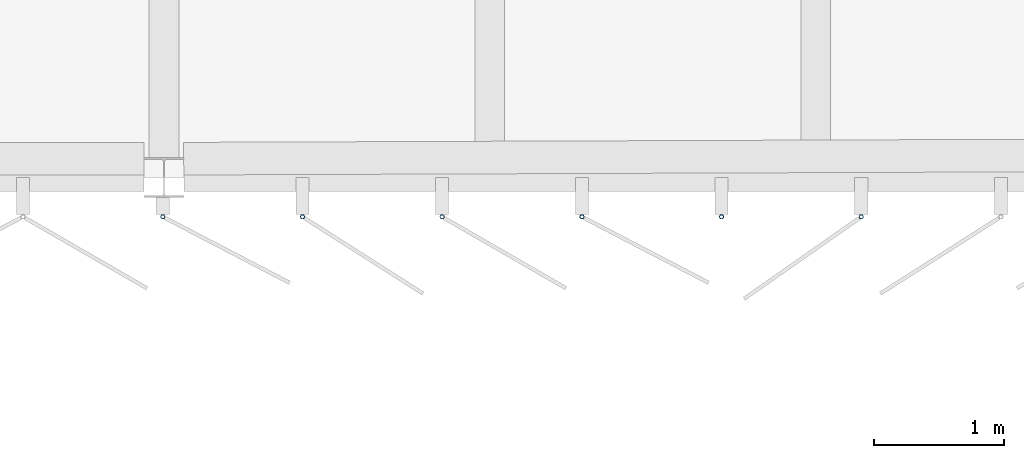
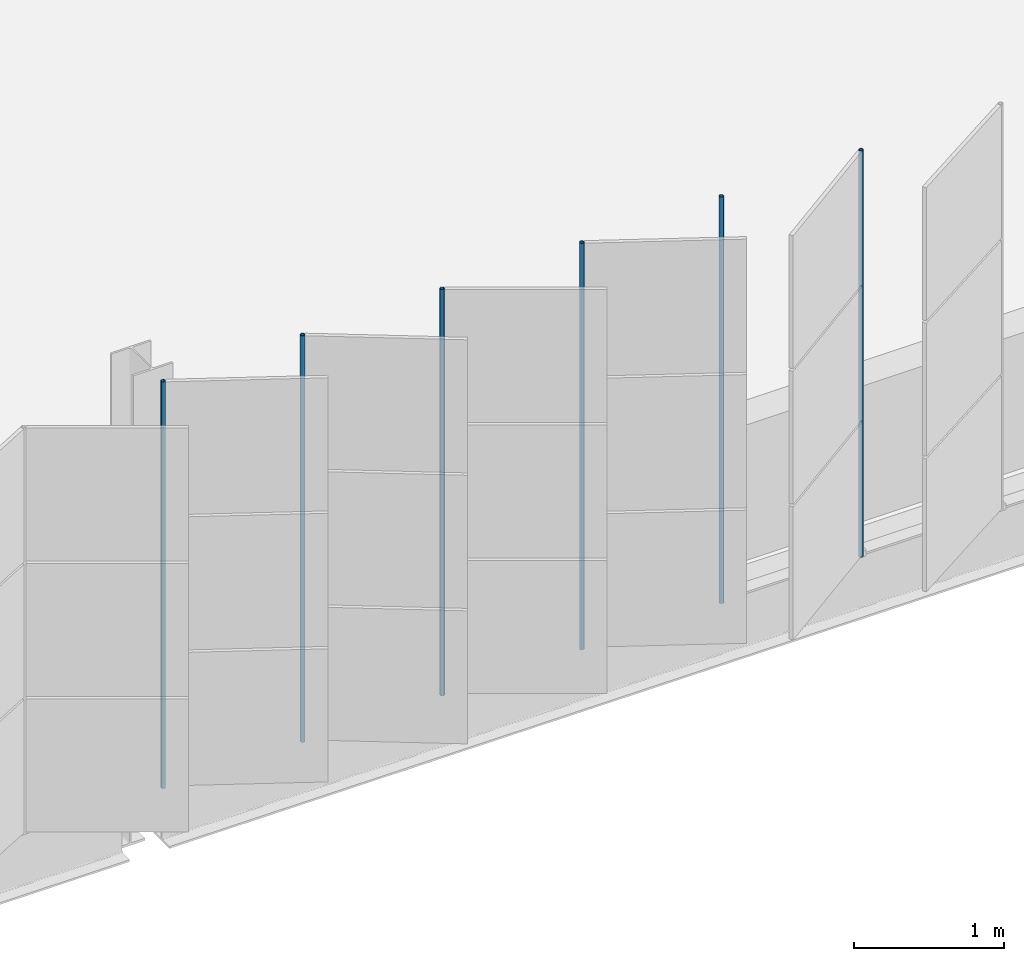
# One storey, part 85 of 199: 6 discrete accessories.
"""IFC4 building model written with IfcOpenShell, lengths in metres."""

from ifc_helpers import new_model, si_unit, direction, frame, origin, origin_2d, place, context, subcontext, project, spatial, hollow_circle, extrude, material, material_profile, profile_set, type_object, element, save


model = new_model("IFC4")

# Units and contexts
model_context = context("Model", 3, precision=1e-05, world=origin(), true_north=direction((0.0, 1.0)))
body_context = subcontext(model_context, "Body", "Model", "MODEL_VIEW")
ifc_project = project(units=[si_unit("LENGTHUNIT", "METRE"), si_unit("AREAUNIT", "SQUARE_METRE"), si_unit("VOLUMEUNIT", "CUBIC_METRE"), si_unit("PLANEANGLEUNIT", "RADIAN"), si_unit("MASSUNIT", "GRAM", prefix="KILO")], contexts=[model_context])

# Site, building, storey
site_placement = place(None, origin())
site = spatial("IfcSite", under=ifc_project, at=site_placement, CompositionType="ELEMENT")
building_placement = place(site_placement, origin())
building = spatial("IfcBuilding", under=site, at=building_placement, Name="Parallax Yard Mobility Hub", CompositionType="ELEMENT")
storey_placement = place(building_placement, frame((0.0, 0.0, 9.89990234375)))
storey = spatial("IfcBuildingStorey", under=building, at=storey_placement, Name="L03", CompositionType="ELEMENT", Elevation=9.89990234375)

# Discrete accessories
ifc_material = material(Name="Steel ASTM A500 Gr C, hot-dip galvanised", Category="steel")
ifc_material_profile = material_profile(ifc_material, hollow_circle(Radius=0.016845703125, WallThickness=0.003173828125, at=origin_2d()), Name="CHS 33.7x3.2")
ifc_profile_set = profile_set([ifc_material_profile], Name="Steel ASTM A500 Gr C, hot-dip galvanised")
discrete_accessory_type = type_object("IfcDiscreteAccessoryType", Name="Hinge post CHS 33.7x3.2", PredefinedType="BRACKET", material=ifc_profile_set)
for number, where, z_axis, x_axis, name in (
    (1, (112.490966796875, 112.199951171875, 0.0), (0.0, 0.0, 1.0), (1.0, 0.0, 0.0), "Hinge post bay 11.1 level L03"),
    (2, (113.5625, 112.199951171875, 0.0), (0.0, 0.0, 1.0), (1.0, 0.0, 0.0), "Hinge post bay 11.2 level L03"),
    (3, (114.634033203125, 112.199951171875, 0.0), (0.0, 0.0, 1.0), (1.0, 0.0, 0.0), "Hinge post bay 11.3 level L03"),
    (4, (115.70556640625, 112.199951171875, 0.0), (0.0, 0.0, 1.0), (1.0, 0.0, 0.0), "Hinge post bay 11.4 level L03"),
    (5, (116.777099609375, 112.199951171875, 0.0), (0.0, 0.0, 1.0), (1.0, 0.0, 0.0), "Hinge post bay 11.5 level L03"),
    (6, (117.848388671875, 112.199951171875, 0.0), (0.0, 0.0, 1.0), (1.0, 0.0, 0.0), "Hinge post bay 11.6 level L03"),
):
    element("IfcDiscreteAccessory", number, at=place(storey_placement, frame(where, z_axis=z_axis, x_axis=x_axis)), inside=storey, type_object=discrete_accessory_type, Name=name, PredefinedType="BRACKET", context=body_context, shape_type="SweptSolid", body=[
        extrude(hollow_circle(Radius=0.016845703125, WallThickness=0.003173828125, at=origin_2d()), origin(), (0.0, 0.0, 1.0), 3.300048828125),
    ])

save(model, "model.ifc")
